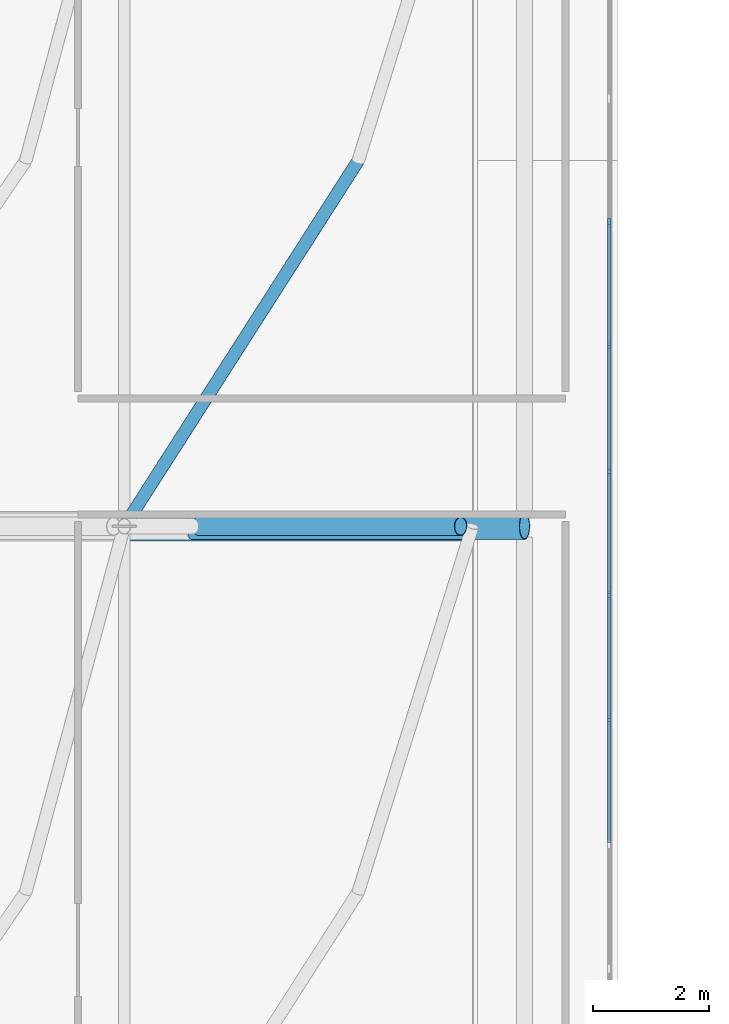
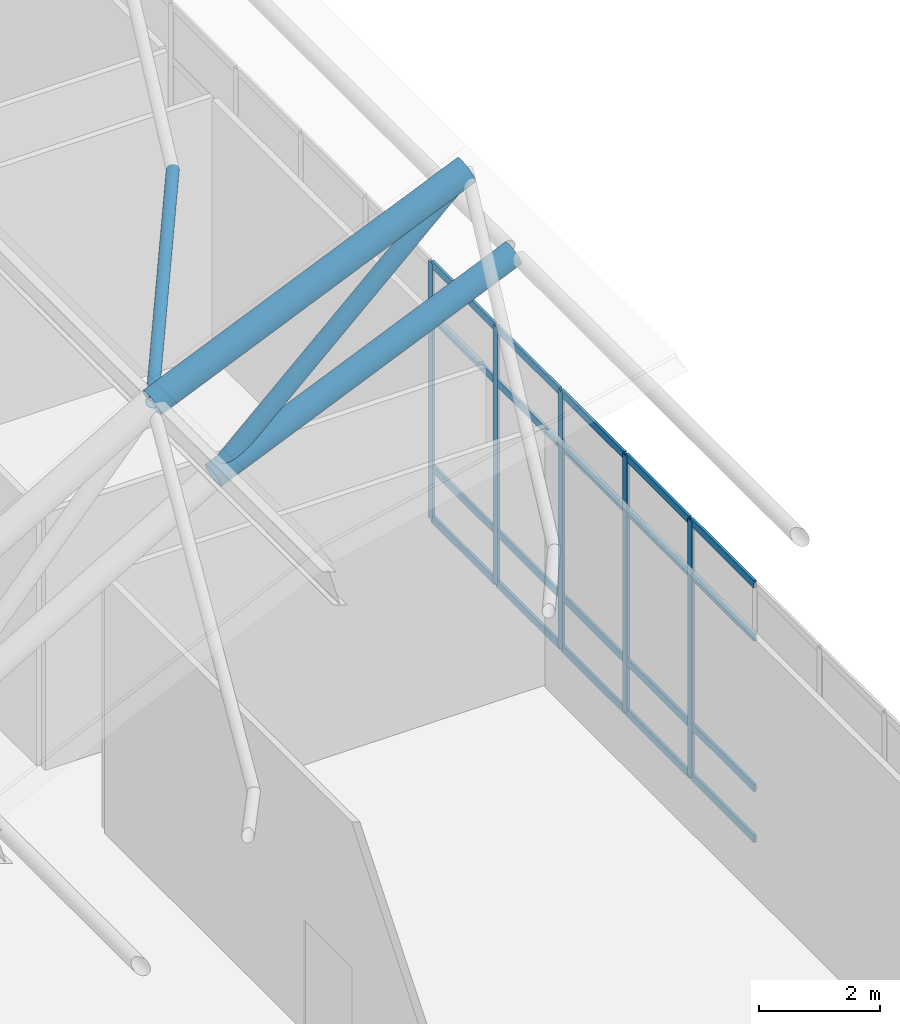
# One storey, part 9 of 42: 29 members, 1 element without a shape of its own.
"""IFC4 building model written with IfcOpenShell, lengths in metres."""

from ifc_helpers import new_model, si_unit, derived_unit, direction, frame, origin, origin_2d, place, context, subcontext, project, spatial, rectangle, hollow_circle, extrude, material, layer, layer_set, material_profile, profile_set, type_object, element, aggregate, save


model = new_model("IFC4")

# Units and contexts
model_context = context("Model", 3, precision=1e-05, world=origin(), true_north=direction((0.0, 1.0)))
body_context = subcontext(model_context, "Body", "Model", "MODEL_VIEW")
ifc_project = project(units=[si_unit("LENGTHUNIT", "METRE"), si_unit("AREAUNIT", "SQUARE_METRE"), si_unit("VOLUMEUNIT", "CUBIC_METRE"), si_unit("PLANEANGLEUNIT", "RADIAN"), si_unit("MASSUNIT", "GRAM", prefix="KILO"), derived_unit("THERMALTRANSMITTANCEUNIT", [(si_unit("MASSUNIT", "GRAM", prefix="KILO"), 1), (si_unit("TIMEUNIT", "SECOND"), -3), (si_unit("THERMODYNAMICTEMPERATUREUNIT", "KELVIN"), -1)])], contexts=[model_context])

# Site, building, storey
site_placement = place(None, origin())
site = spatial("IfcSite", under=ifc_project, at=site_placement, CompositionType="ELEMENT")
building_placement = place(site_placement, origin())
building = spatial("IfcBuilding", under=site, at=building_placement, Name="Valcora Ridge Arena", CompositionType="ELEMENT")
storey_placement = place(building_placement, frame((0.0, 0.0, 26.39990234375)))
storey = spatial("IfcBuildingStorey", under=building, at=storey_placement, Name="L05", CompositionType="ELEMENT", Elevation=26.39990234375)

# Curtain wall, members
ifc_material_1 = material(Name="Anodised dark bronze architectural aluminium 6063-T6", Category="aluminium")
ifc_layer = layer(ifc_material_1, 0.14990234375, Name="Anodised dark bronze architectural aluminium 6063-T6")
ifc_layer_set = layer_set([ifc_layer], Name="Anodised dark bronze architectural aluminium 6063-T6")
curtain_wall_type = type_object("IfcCurtainWallType", Name="TY-CURTAINWALL-CW-V1-SKY-878X52", PredefinedType="NOTDEFINED", material=ifc_layer_set)
curtain_wall_placement = place(storey_placement, origin())
curtain_wall = element("IfcCurtainWall", 1, at=curtain_wall_placement, inside=storey, type_object=curtain_wall_type, Name="CW-V1-SKY-878X52 CW-0171", PredefinedType="NOTDEFINED")
ifc_material_profile_1 = material_profile(ifc_material_1, rectangle(XDim=0.050048828125, YDim=0.14990234375, at=origin_2d()), Name="ALU MULLION 50x150")
ifc_profile_set_1 = profile_set([ifc_material_profile_1], Name="Anodised dark bronze architectural aluminium 6063-T6")
member_type_1 = type_object("IfcMemberType", Name="TY-MEM-CWM-50x150", PredefinedType="MULLION", material=ifc_profile_set_1)
member_1_placement = place(storey_placement, frame((38.35009765625, 54.46337890625, 0.0), z_axis=(0.0, 0.0, 1.0), x_axis=(-1.0, 0.0, 0.0)))
member_1 = element("IfcMember", 2, at=member_1_placement, type_object=member_type_1, Name="CW-0171/CWM-50x150/M16", PredefinedType="MULLION", context=body_context, shape_type="SweptSolid", body=[
    extrude(rectangle(XDim=0.050048828125, YDim=0.14990234375, at=origin_2d()), origin(), (0.0, 0.0, 1.0), 5.18017578125),
])
member_2_placement = place(storey_placement, frame((38.35009765625, 56.60498046875, 0.0), z_axis=(0.0, 0.0, 1.0), x_axis=(-1.0, 0.0, 0.0)))
member_2 = element("IfcMember", 3, at=member_2_placement, type_object=member_type_1, Name="CW-0171/CWM-50x150/M17", PredefinedType="MULLION", context=body_context, shape_type="SweptSolid", body=[
    extrude(rectangle(XDim=0.050048828125, YDim=0.14990234375, at=origin_2d()), origin(), (0.0, 0.0, 1.0), 5.18017578125),
])
member_3_placement = place(storey_placement, frame((38.35009765625, 58.746337890625, 0.0), z_axis=(0.0, 0.0, 1.0), x_axis=(-1.0, 0.0, 0.0)))
member_3 = element("IfcMember", 4, at=member_3_placement, type_object=member_type_1, Name="CW-0171/CWM-50x150/M18", PredefinedType="MULLION", context=body_context, shape_type="SweptSolid", body=[
    extrude(rectangle(XDim=0.050048828125, YDim=0.14990234375, at=origin_2d()), origin(), (0.0, 0.0, 1.0), 5.18017578125),
])
member_4_placement = place(storey_placement, frame((38.35009765625, 60.8876953125, 0.0), z_axis=(0.0, 0.0, 1.0), x_axis=(-1.0, 0.0, 0.0)))
member_4 = element("IfcMember", 5, at=member_4_placement, type_object=member_type_1, Name="CW-0171/CWM-50x150/M19", PredefinedType="MULLION", context=body_context, shape_type="SweptSolid", body=[
    extrude(rectangle(XDim=0.050048828125, YDim=0.14990234375, at=origin_2d()), origin(), (0.0, 0.0, 1.0), 5.18017578125),
])
member_5_placement = place(storey_placement, frame((38.35009765625, 63.029296875, 0.0), z_axis=(0.0, 0.0, 1.0), x_axis=(-1.0, 0.0, 0.0)))
member_5 = element("IfcMember", 6, at=member_5_placement, type_object=member_type_1, Name="CW-0171/CWM-50x150/M20", PredefinedType="MULLION", context=body_context, shape_type="SweptSolid", body=[
    extrude(rectangle(XDim=0.050048828125, YDim=0.14990234375, at=origin_2d()), origin(), (0.0, 0.0, 1.0), 5.18017578125),
])
ifc_material_profile_2 = material_profile(ifc_material_1, rectangle(XDim=0.050048828125, YDim=0.14990234375, at=origin_2d()), Name="ALU TRANSOM 50x150")
ifc_profile_set_2 = profile_set([ifc_material_profile_2], Name="Anodised dark bronze architectural aluminium 6063-T6")
member_type_2 = type_object("IfcMemberType", Name="TY-MEM-CWT-50x150", PredefinedType="USERDEFINED", material=ifc_profile_set_2)
member_6_placement = place(storey_placement, frame((38.35009765625, 52.346923828125, 0.025146484375), z_axis=(0.0, 1.0, 0.0), x_axis=(-1.0, 0.0, 0.0)))
member_6 = element("IfcMember", 7, at=member_6_placement, type_object=member_type_2, Name="CW-0171/CWT-50x150/T15-00", ObjectType="TRANSOM", PredefinedType="USERDEFINED", context=body_context, shape_type="SweptSolid", body=[
    extrude(rectangle(XDim=0.050048828125, YDim=0.14990234375, at=origin_2d()), origin(), (0.0, 0.0, 1.0), 2.091064453125),
])
member_7_placement = place(storey_placement, frame((38.35009765625, 52.346923828125, 1.050048828125), z_axis=(0.0, 1.0, 0.0), x_axis=(-1.0, 0.0, 0.0)))
member_7 = element("IfcMember", 8, at=member_7_placement, type_object=member_type_2, Name="CW-0171/CWT-50x150/T15-01", ObjectType="TRANSOM", PredefinedType="USERDEFINED", context=body_context, shape_type="SweptSolid", body=[
    extrude(rectangle(XDim=0.050048828125, YDim=0.14990234375, at=origin_2d()), origin(), (0.0, 0.0, 1.0), 2.091064453125),
])
member_8_placement = place(storey_placement, frame((38.35009765625, 52.346923828125, 4.080078125), z_axis=(0.0, 1.0, 0.0), x_axis=(-1.0, 0.0, 0.0)))
member_8 = element("IfcMember", 9, at=member_8_placement, type_object=member_type_2, Name="CW-0171/CWT-50x150/T15-02", ObjectType="TRANSOM", PredefinedType="USERDEFINED", context=body_context, shape_type="SweptSolid", body=[
    extrude(rectangle(XDim=0.050048828125, YDim=0.14990234375, at=origin_2d()), origin(), (0.0, 0.0, 1.0), 2.091064453125),
])
member_9_placement = place(storey_placement, frame((38.35009765625, 52.346923828125, 5.155029296875), z_axis=(0.0, 1.0, 0.0), x_axis=(-1.0, 0.0, 0.0)))
member_9 = element("IfcMember", 10, at=member_9_placement, type_object=member_type_2, Name="CW-0171/CWT-50x150/T15-03", ObjectType="TRANSOM", PredefinedType="USERDEFINED", context=body_context, shape_type="SweptSolid", body=[
    extrude(rectangle(XDim=0.050048828125, YDim=0.14990234375, at=origin_2d()), origin(), (0.0, 0.0, 1.0), 2.091064453125),
])
member_10_placement = place(storey_placement, frame((38.35009765625, 54.488037109375, 0.025146484375), z_axis=(0.0, 1.0, 0.0), x_axis=(-1.0, 0.0, 0.0)))
member_10 = element("IfcMember", 11, at=member_10_placement, type_object=member_type_2, Name="CW-0171/CWT-50x150/T16-00", ObjectType="TRANSOM", PredefinedType="USERDEFINED", context=body_context, shape_type="SweptSolid", body=[
    extrude(rectangle(XDim=0.050048828125, YDim=0.14990234375, at=origin_2d()), origin(), (0.0, 0.0, 1.0), 2.092041015625),
])
member_11_placement = place(storey_placement, frame((38.35009765625, 54.488037109375, 1.050048828125), z_axis=(0.0, 1.0, 0.0), x_axis=(-1.0, 0.0, 0.0)))
member_11 = element("IfcMember", 12, at=member_11_placement, type_object=member_type_2, Name="CW-0171/CWT-50x150/T16-01", ObjectType="TRANSOM", PredefinedType="USERDEFINED", context=body_context, shape_type="SweptSolid", body=[
    extrude(rectangle(XDim=0.050048828125, YDim=0.14990234375, at=origin_2d()), origin(), (0.0, 0.0, 1.0), 2.092041015625),
])
member_12_placement = place(storey_placement, frame((38.35009765625, 54.488037109375, 4.080078125), z_axis=(0.0, 1.0, 0.0), x_axis=(-1.0, 0.0, 0.0)))
member_12 = element("IfcMember", 13, at=member_12_placement, type_object=member_type_2, Name="CW-0171/CWT-50x150/T16-02", ObjectType="TRANSOM", PredefinedType="USERDEFINED", context=body_context, shape_type="SweptSolid", body=[
    extrude(rectangle(XDim=0.050048828125, YDim=0.14990234375, at=origin_2d()), origin(), (0.0, 0.0, 1.0), 2.092041015625),
])
member_13_placement = place(storey_placement, frame((38.35009765625, 54.488037109375, 5.155029296875), z_axis=(0.0, 1.0, 0.0), x_axis=(-1.0, 0.0, 0.0)))
member_13 = element("IfcMember", 14, at=member_13_placement, type_object=member_type_2, Name="CW-0171/CWT-50x150/T16-03", ObjectType="TRANSOM", PredefinedType="USERDEFINED", context=body_context, shape_type="SweptSolid", body=[
    extrude(rectangle(XDim=0.050048828125, YDim=0.14990234375, at=origin_2d()), origin(), (0.0, 0.0, 1.0), 2.092041015625),
])
member_14_placement = place(storey_placement, frame((38.35009765625, 56.6298828125, 0.025146484375), z_axis=(0.0, 1.0, 0.0), x_axis=(-1.0, 0.0, 0.0)))
member_14 = element("IfcMember", 15, at=member_14_placement, type_object=member_type_2, Name="CW-0171/CWT-50x150/T17-00", ObjectType="TRANSOM", PredefinedType="USERDEFINED", context=body_context, shape_type="SweptSolid", body=[
    extrude(rectangle(XDim=0.050048828125, YDim=0.14990234375, at=origin_2d()), origin(), (0.0, 0.0, 1.0), 2.091064453125),
])
member_15_placement = place(storey_placement, frame((38.35009765625, 56.6298828125, 1.050048828125), z_axis=(0.0, 1.0, 0.0), x_axis=(-1.0, 0.0, 0.0)))
member_15 = element("IfcMember", 16, at=member_15_placement, type_object=member_type_2, Name="CW-0171/CWT-50x150/T17-01", ObjectType="TRANSOM", PredefinedType="USERDEFINED", context=body_context, shape_type="SweptSolid", body=[
    extrude(rectangle(XDim=0.050048828125, YDim=0.14990234375, at=origin_2d()), origin(), (0.0, 0.0, 1.0), 2.091064453125),
])
member_16_placement = place(storey_placement, frame((38.35009765625, 56.6298828125, 4.080078125), z_axis=(0.0, 1.0, 0.0), x_axis=(-1.0, 0.0, 0.0)))
member_16 = element("IfcMember", 17, at=member_16_placement, type_object=member_type_2, Name="CW-0171/CWT-50x150/T17-02", ObjectType="TRANSOM", PredefinedType="USERDEFINED", context=body_context, shape_type="SweptSolid", body=[
    extrude(rectangle(XDim=0.050048828125, YDim=0.14990234375, at=origin_2d()), origin(), (0.0, 0.0, 1.0), 2.091064453125),
])
member_17_placement = place(storey_placement, frame((38.35009765625, 56.6298828125, 5.155029296875), z_axis=(0.0, 1.0, 0.0), x_axis=(-1.0, 0.0, 0.0)))
member_17 = element("IfcMember", 18, at=member_17_placement, type_object=member_type_2, Name="CW-0171/CWT-50x150/T17-03", ObjectType="TRANSOM", PredefinedType="USERDEFINED", context=body_context, shape_type="SweptSolid", body=[
    extrude(rectangle(XDim=0.050048828125, YDim=0.14990234375, at=origin_2d()), origin(), (0.0, 0.0, 1.0), 2.091064453125),
])
member_18_placement = place(storey_placement, frame((38.35009765625, 58.77099609375, 0.025146484375), z_axis=(0.0, 1.0, 0.0), x_axis=(-1.0, 0.0, 0.0)))
member_18 = element("IfcMember", 19, at=member_18_placement, type_object=member_type_2, Name="CW-0171/CWT-50x150/T18-00", ObjectType="TRANSOM", PredefinedType="USERDEFINED", context=body_context, shape_type="SweptSolid", body=[
    extrude(rectangle(XDim=0.050048828125, YDim=0.14990234375, at=origin_2d()), origin(), (0.0, 0.0, 1.0), 2.092041015625),
])
member_19_placement = place(storey_placement, frame((38.35009765625, 58.77099609375, 1.050048828125), z_axis=(0.0, 1.0, 0.0), x_axis=(-1.0, 0.0, 0.0)))
member_19 = element("IfcMember", 20, at=member_19_placement, type_object=member_type_2, Name="CW-0171/CWT-50x150/T18-01", ObjectType="TRANSOM", PredefinedType="USERDEFINED", context=body_context, shape_type="SweptSolid", body=[
    extrude(rectangle(XDim=0.050048828125, YDim=0.14990234375, at=origin_2d()), origin(), (0.0, 0.0, 1.0), 2.092041015625),
])
member_20_placement = place(storey_placement, frame((38.35009765625, 58.77099609375, 4.080078125), z_axis=(0.0, 1.0, 0.0), x_axis=(-1.0, 0.0, 0.0)))
member_20 = element("IfcMember", 21, at=member_20_placement, type_object=member_type_2, Name="CW-0171/CWT-50x150/T18-02", ObjectType="TRANSOM", PredefinedType="USERDEFINED", context=body_context, shape_type="SweptSolid", body=[
    extrude(rectangle(XDim=0.050048828125, YDim=0.14990234375, at=origin_2d()), origin(), (0.0, 0.0, 1.0), 2.092041015625),
])
member_21_placement = place(storey_placement, frame((38.35009765625, 58.77099609375, 5.155029296875), z_axis=(0.0, 1.0, 0.0), x_axis=(-1.0, 0.0, 0.0)))
member_21 = element("IfcMember", 22, at=member_21_placement, type_object=member_type_2, Name="CW-0171/CWT-50x150/T18-03", ObjectType="TRANSOM", PredefinedType="USERDEFINED", context=body_context, shape_type="SweptSolid", body=[
    extrude(rectangle(XDim=0.050048828125, YDim=0.14990234375, at=origin_2d()), origin(), (0.0, 0.0, 1.0), 2.092041015625),
])
member_22_placement = place(storey_placement, frame((38.35009765625, 60.9130859375, 0.025146484375), z_axis=(0.0, 1.0, 0.0), x_axis=(-1.0, 0.0, 0.0)))
member_22 = element("IfcMember", 23, at=member_22_placement, type_object=member_type_2, Name="CW-0171/CWT-50x150/T19-00", ObjectType="TRANSOM", PredefinedType="USERDEFINED", context=body_context, shape_type="SweptSolid", body=[
    extrude(rectangle(XDim=0.050048828125, YDim=0.14990234375, at=origin_2d()), origin(), (0.0, 0.0, 1.0), 2.0908203125),
])
member_23_placement = place(storey_placement, frame((38.35009765625, 60.9130859375, 1.050048828125), z_axis=(0.0, 1.0, 0.0), x_axis=(-1.0, 0.0, 0.0)))
member_23 = element("IfcMember", 24, at=member_23_placement, type_object=member_type_2, Name="CW-0171/CWT-50x150/T19-01", ObjectType="TRANSOM", PredefinedType="USERDEFINED", context=body_context, shape_type="SweptSolid", body=[
    extrude(rectangle(XDim=0.050048828125, YDim=0.14990234375, at=origin_2d()), origin(), (0.0, 0.0, 1.0), 2.0908203125),
])
member_24_placement = place(storey_placement, frame((38.35009765625, 60.9130859375, 4.080078125), z_axis=(0.0, 1.0, 0.0), x_axis=(-1.0, 0.0, 0.0)))
member_24 = element("IfcMember", 25, at=member_24_placement, type_object=member_type_2, Name="CW-0171/CWT-50x150/T19-02", ObjectType="TRANSOM", PredefinedType="USERDEFINED", context=body_context, shape_type="SweptSolid", body=[
    extrude(rectangle(XDim=0.050048828125, YDim=0.14990234375, at=origin_2d()), origin(), (0.0, 0.0, 1.0), 2.0908203125),
])
member_25_placement = place(storey_placement, frame((38.35009765625, 60.9130859375, 5.155029296875), z_axis=(0.0, 1.0, 0.0), x_axis=(-1.0, 0.0, 0.0)))
member_25 = element("IfcMember", 26, at=member_25_placement, type_object=member_type_2, Name="CW-0171/CWT-50x150/T19-03", ObjectType="TRANSOM", PredefinedType="USERDEFINED", context=body_context, shape_type="SweptSolid", body=[
    extrude(rectangle(XDim=0.050048828125, YDim=0.14990234375, at=origin_2d()), origin(), (0.0, 0.0, 1.0), 2.0908203125),
])
aggregate(curtain_wall, [member_1, member_2, member_3, member_4, member_5, member_6, member_7, member_8, member_9, member_10, member_11, member_12, member_13, member_14, member_15, member_16, member_17, member_18, member_19, member_20, member_21, member_22, member_23, member_24, member_25])

# Members
ifc_material_2 = material(Name="Steel ASTM A500 Grade C", Category="steel")
ifc_material_profile_3 = material_profile(ifc_material_2, hollow_circle(Radius=0.228515625, WallThickness=0.01611328125, at=origin_2d()), Name="CHS457X16")
ifc_profile_set_3 = profile_set([ifc_material_profile_3], Name="Steel ASTM A500 Grade C")
member_type_3 = type_object("IfcMemberType", Name="TY-MEMBER-SFBC-457", PredefinedType="CHORD", material=ifc_profile_set_3)
member_26_placement = place(storey_placement, frame((31.1669921875, 57.800048828125, 6.558837890625), z_axis=(0.917672105435, 0.0, 0.397338529351), x_axis=(0.0, 1.0, 0.0)))
element("IfcMember", 27, at=member_26_placement, inside=storey, type_object=member_type_3, Name="SFBC-457 Space Frame Bottom Chord", PredefinedType="CHORD", context=body_context, shape_type="SweptSolid", body=[
    extrude(hollow_circle(Radius=0.228515625, WallThickness=0.01611328125, at=origin_2d()), origin(), (0.0, 0.0, 1.0), 6.24267578125),
])
ifc_material_profile_4 = material_profile(ifc_material_2, hollow_circle(Radius=0.109619140625, WallThickness=0.010009765625, at=origin_2d()), Name="CHS219X10")
ifc_profile_set_4 = profile_set([ifc_material_profile_4], Name="Steel ASTM A500 Grade C")
member_type_4 = type_object("IfcMemberType", Name="TY-MEMBER-SFST-219", PredefinedType="STRUT", material=ifc_profile_set_4)
member_27_placement = place(storey_placement, frame((34.031494140625, 64.10009765625, 7.895751953125), z_axis=(-0.537622113153, -0.840146468233, 0.071528842887), x_axis=(0.842304003187, -0.539002751584, 0.0)))
element("IfcMember", 28, at=member_27_placement, inside=storey, type_object=member_type_4, Name="SFST-219 Space Frame Tie Strut", PredefinedType="STRUT", context=body_context, shape_type="SweptSolid", body=[
    extrude(hollow_circle(Radius=0.109619140625, WallThickness=0.010009765625, at=origin_2d()), origin(), (0.0, 0.0, 1.0), 7.498779296875),
])
ifc_material_profile_5 = material_profile(ifc_material_2, hollow_circle(Radius=0.25390625, WallThickness=0.01611328125, at=origin_2d()), Name="CHS508X16")
ifc_profile_set_5 = profile_set([ifc_material_profile_5], Name="Steel ASTM A500 Grade C")
member_type_5 = type_object("IfcMemberType", Name="TY-MEMBER-SFTC-508", PredefinedType="CHORD", material=ifc_profile_set_5)
member_28_placement = place(storey_placement, frame((30.0, 57.800048828125, 8.43212890625), z_axis=(0.917672740792, 0.0, 0.397337061961), x_axis=(0.0, 1.0, 0.0)))
element("IfcMember", 29, at=member_28_placement, inside=storey, type_object=member_type_5, Name="SFTC-508 Space Frame Top Chord", PredefinedType="CHORD", context=body_context, shape_type="SweptSolid", body=[
    extrude(hollow_circle(Radius=0.25390625, WallThickness=0.01611328125, at=origin_2d()), origin(), (0.0, 0.0, 1.0), 6.538330078125),
])
ifc_material_profile_6 = material_profile(ifc_material_2, hollow_circle(Radius=0.161865234375, WallThickness=0.012451171875, at=origin_2d()), Name="CHS323X12")
ifc_profile_set_6 = profile_set([ifc_material_profile_6], Name="Steel ASTM A500 Grade C")
member_type_6 = type_object("IfcMemberType", Name="TY-MEMBER-SFWB-323", PredefinedType="BRACE", material=ifc_profile_set_6)
member_29_placement = place(storey_placement, frame((31.284423828125, 57.800048828125, 6.66748046875), z_axis=(0.734030604976, 0.0, 0.679116389847), x_axis=(0.0, 1.0, 0.0)))
element("IfcMember", 30, at=member_29_placement, inside=storey, type_object=member_type_6, Name="SFWB-323 Space Frame Diagonal Brace", PredefinedType="BRACE", context=body_context, shape_type="SweptSolid", body=[
    extrude(hollow_circle(Radius=0.161865234375, WallThickness=0.012451171875, at=origin_2d()), origin(), (0.0, 0.0, 1.0), 6.144287109375),
])

save(model, "model.ifc")
